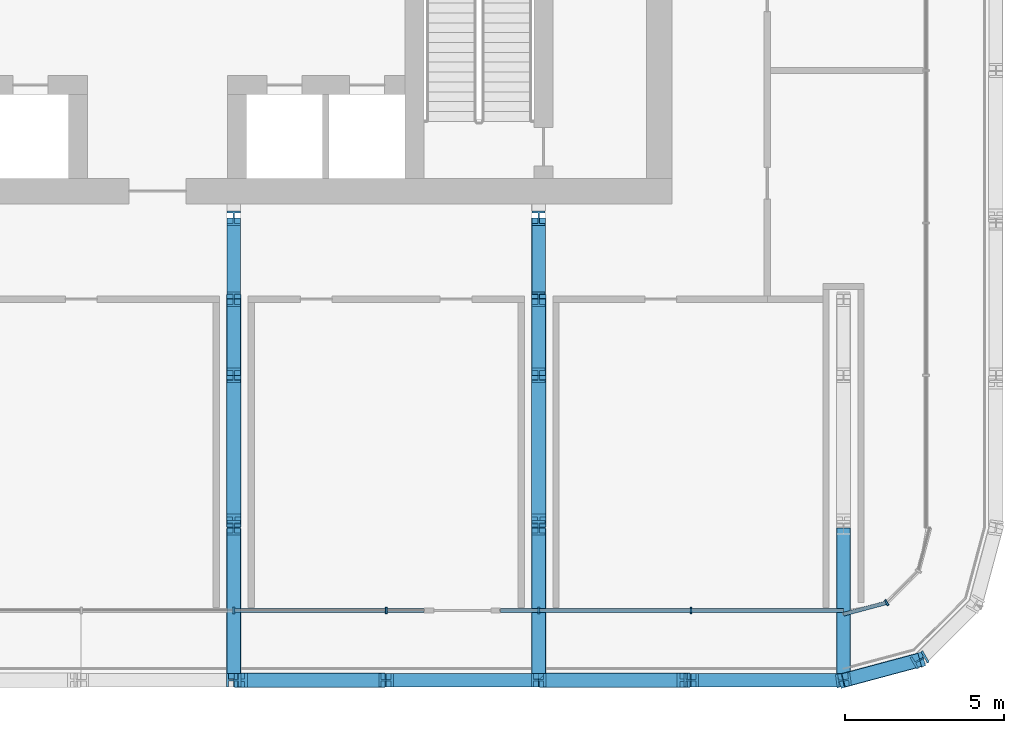
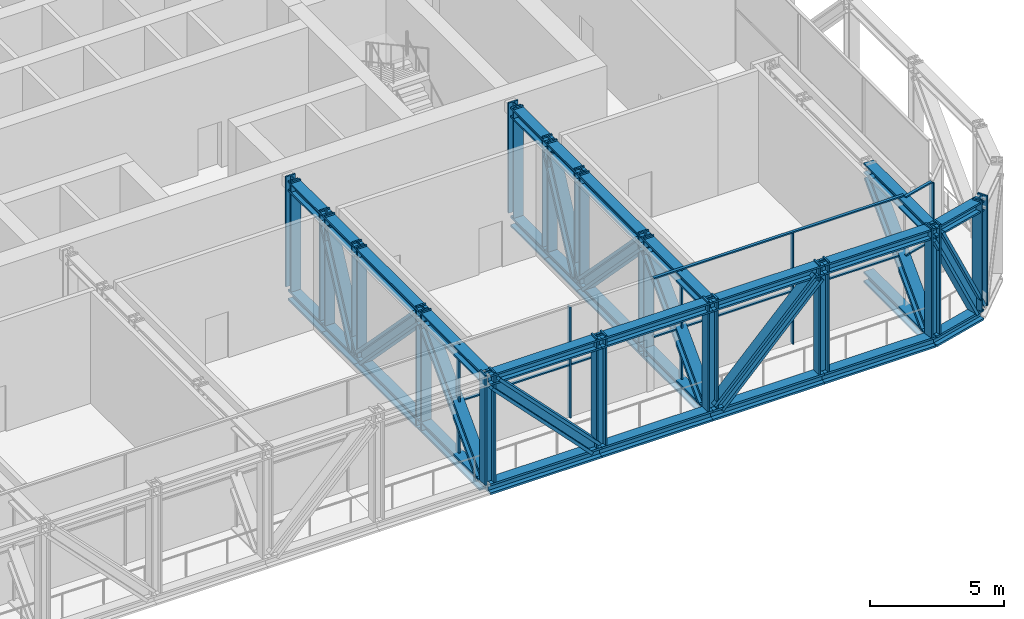
# One storey, part 5 of 27: 65 members, 2 elements without a shape of their own.
"""IFC4 building model written with IfcOpenShell, lengths in metres."""

from ifc_helpers import new_model, si_unit, direction, frame, origin, origin_2d, place, context, subcontext, project, spatial, rectangle, i_section, extrude, material, layer, layer_set, material_profile, profile_set, type_object, element, aggregate, save


model = new_model("IFC4")

# Units and contexts
model_context = context("Model", 3, precision=1e-05, world=origin(), true_north=direction((0.0, 1.0)))
body_context = subcontext(model_context, "Body", "Model", "MODEL_VIEW")
ifc_project = project(units=[si_unit("LENGTHUNIT", "METRE"), si_unit("AREAUNIT", "SQUARE_METRE"), si_unit("VOLUMEUNIT", "CUBIC_METRE"), si_unit("PLANEANGLEUNIT", "RADIAN"), si_unit("MASSUNIT", "GRAM", prefix="KILO")], contexts=[model_context])

# Site, building, storey
site_placement = place(None, origin())
site = spatial("IfcSite", under=ifc_project, at=site_placement, CompositionType="ELEMENT")
building_placement = place(site_placement, origin())
building = spatial("IfcBuilding", under=site, at=building_placement, Name="Madar Terraces", CompositionType="ELEMENT")
storey_placement = place(building_placement, frame((0.0, 0.0, 143.60009765625)))
storey = spatial("IfcBuildingStorey", under=building, at=storey_placement, Name="L37", CompositionType="ELEMENT", Elevation=143.60009765625)

# Members
ifc_material_1 = material(Name="Steel ASTM A913 Grade 65", Category="steel")
ifc_material_profile_1 = material_profile(ifc_material_1, i_section(OverallWidth=0.431884765625, OverallDepth=0.497802734375, WebThickness=0.0556640625, FlangeThickness=0.0888671875, at=origin_2d()), Name="W14x500")
ifc_profile_set_1 = profile_set([ifc_material_profile_1], Name="Steel ASTM A913 Grade 65")
member_type_1 = type_object("IfcMemberType", Name="BC5 W14x500", PredefinedType="CHORD", material=ifc_profile_set_1)
member_1_placement = place(storey_placement, frame((33.60009765625, 0.0, -0.171142578125), z_axis=(1.0, 0.0, 0.0), x_axis=(0.0, 1.0, 0.0)))
element("IfcMember", 1, at=member_1_placement, inside=storey, type_object=member_type_1, Name="Exoskeleton truss ring bottom chord BC5", PredefinedType="CHORD", context=body_context, shape_type="SweptSolid", body=[
    extrude(i_section(OverallWidth=0.431884765625, OverallDepth=0.497802734375, WebThickness=0.0556640625, FlangeThickness=0.0888671875, at=origin_2d()), origin(), (0.0, 0.0, 1.0), 4.7998046875),
])
for number, where, z_axis, x_axis, name in (
    (2, (38.39990234375, 0.0, -0.171142578125), (1.0, 0.0, 0.0), (0.0, 1.0, 0.0), "Exoskeleton truss ring bottom chord BC5"),
    (3, (43.199951171875, 0.0, -0.171142578125), (1.0, 0.0, 0.0), (0.0, 1.0, 0.0), "Exoskeleton truss ring bottom chord BC5"),
    (4, (48.0, 0.0, -0.171142578125), (1.0, 0.0, 0.0), (0.0, 1.0, 0.0), "Exoskeleton truss ring bottom chord BC5"),
):
    element("IfcMember", number, at=place(storey_placement, frame(where, z_axis=z_axis, x_axis=x_axis)), inside=storey, type_object=member_type_1, Name=name, PredefinedType="CHORD", context=body_context, shape_type="SweptSolid", body=[
        extrude(i_section(OverallWidth=0.431884765625, OverallDepth=0.497802734375, WebThickness=0.0556640625, FlangeThickness=0.0888671875, at=origin_2d()), origin(), (0.0, 0.0, 1.0), 4.800048828125),
    ])
member_2_placement = place(storey_placement, frame((52.800048828125, 0.0, -0.171142578125), z_axis=(0.965924366126, 0.258824494443, 0.0), x_axis=(-0.258824494443, 0.965924366126, 0.0)))
element("IfcMember", 5, at=member_2_placement, inside=storey, type_object=member_type_1, Name="Exoskeleton truss ring bottom chord BC5", PredefinedType="CHORD", context=body_context, shape_type="SweptSolid", body=[
    extrude(i_section(OverallWidth=0.431884765625, OverallDepth=0.497802734375, WebThickness=0.0556640625, FlangeThickness=0.0888671875, at=origin_2d()), origin(), (0.0, 0.0, 1.0), 2.484619140625),
])
member_3_placement = place(storey_placement, frame((33.60009765625, 0.2158203125, -0.171142578125), z_axis=(0.0, 1.0, 0.0), x_axis=(-1.0, 0.0, 0.0)))
element("IfcMember", 6, at=member_3_placement, inside=storey, type_object=member_type_1, Name="Exoskeleton truss cross S33.6 bottom chord BC5", PredefinedType="CHORD", context=body_context, shape_type="SweptSolid", body=[
    extrude(i_section(OverallWidth=0.431884765625, OverallDepth=0.497802734375, WebThickness=0.0556640625, FlangeThickness=0.0888671875, at=origin_2d()), origin(), (0.0, 0.0, 1.0), 4.584228515625),
])
member_4_placement = place(storey_placement, frame((33.60009765625, 4.800048828125, -0.171142578125), z_axis=(0.0, 1.0, 0.0), x_axis=(-1.0, 0.0, 0.0)))
element("IfcMember", 7, at=member_4_placement, inside=storey, type_object=member_type_1, Name="Exoskeleton truss cross S33.6 bottom chord BC5", PredefinedType="CHORD", context=body_context, shape_type="SweptSolid", body=[
    extrude(i_section(OverallWidth=0.431884765625, OverallDepth=0.497802734375, WebThickness=0.0556640625, FlangeThickness=0.0888671875, at=origin_2d()), origin(), (0.0, 0.0, 1.0), 4.800048828125),
])
member_5_placement = place(storey_placement, frame((33.60009765625, 9.60009765625, -0.171142578125), z_axis=(0.0, 1.0, 0.0), x_axis=(-1.0, 0.0, 0.0)))
element("IfcMember", 8, at=member_5_placement, inside=storey, type_object=member_type_1, Name="Exoskeleton truss cross S33.6 bottom chord BC5", PredefinedType="CHORD", context=body_context, shape_type="SweptSolid", body=[
    extrude(i_section(OverallWidth=0.431884765625, OverallDepth=0.497802734375, WebThickness=0.0556640625, FlangeThickness=0.0888671875, at=origin_2d()), origin(), (0.0, 0.0, 1.0), 2.39990234375),
])
member_6_placement = place(storey_placement, frame((33.60009765625, 12.0, -0.171142578125), z_axis=(0.0, 1.0, 0.0), x_axis=(-1.0, 0.0, 0.0)))
element("IfcMember", 9, at=member_6_placement, inside=storey, type_object=member_type_1, Name="Exoskeleton truss cross S33.6 bottom chord BC5", PredefinedType="CHORD", context=body_context, shape_type="SweptSolid", body=[
    extrude(i_section(OverallWidth=0.431884765625, OverallDepth=0.497802734375, WebThickness=0.0556640625, FlangeThickness=0.0888671875, at=origin_2d()), origin(), (0.0, 0.0, 1.0), 2.550048828125),
])
member_7_placement = place(storey_placement, frame((43.199951171875, 0.2158203125, -0.171142578125), z_axis=(0.0, 1.0, 0.0), x_axis=(-1.0, 0.0, 0.0)))
element("IfcMember", 10, at=member_7_placement, inside=storey, type_object=member_type_1, Name="Exoskeleton truss cross S43.2 bottom chord BC5", PredefinedType="CHORD", context=body_context, shape_type="SweptSolid", body=[
    extrude(i_section(OverallWidth=0.431884765625, OverallDepth=0.497802734375, WebThickness=0.0556640625, FlangeThickness=0.0888671875, at=origin_2d()), origin(), (0.0, 0.0, 1.0), 4.584228515625),
])
member_8_placement = place(storey_placement, frame((43.199951171875, 4.800048828125, -0.171142578125), z_axis=(0.0, 1.0, 0.0), x_axis=(-1.0, 0.0, 0.0)))
element("IfcMember", 11, at=member_8_placement, inside=storey, type_object=member_type_1, Name="Exoskeleton truss cross S43.2 bottom chord BC5", PredefinedType="CHORD", context=body_context, shape_type="SweptSolid", body=[
    extrude(i_section(OverallWidth=0.431884765625, OverallDepth=0.497802734375, WebThickness=0.0556640625, FlangeThickness=0.0888671875, at=origin_2d()), origin(), (0.0, 0.0, 1.0), 4.800048828125),
])
member_9_placement = place(storey_placement, frame((43.199951171875, 9.60009765625, -0.171142578125), z_axis=(0.0, 1.0, 0.0), x_axis=(-1.0, 0.0, 0.0)))
element("IfcMember", 12, at=member_9_placement, inside=storey, type_object=member_type_1, Name="Exoskeleton truss cross S43.2 bottom chord BC5", PredefinedType="CHORD", context=body_context, shape_type="SweptSolid", body=[
    extrude(i_section(OverallWidth=0.431884765625, OverallDepth=0.497802734375, WebThickness=0.0556640625, FlangeThickness=0.0888671875, at=origin_2d()), origin(), (0.0, 0.0, 1.0), 2.39990234375),
])
member_10_placement = place(storey_placement, frame((43.199951171875, 12.0, -0.171142578125), z_axis=(0.0, 1.0, 0.0), x_axis=(-1.0, 0.0, 0.0)))
element("IfcMember", 13, at=member_10_placement, inside=storey, type_object=member_type_1, Name="Exoskeleton truss cross S43.2 bottom chord BC5", PredefinedType="CHORD", context=body_context, shape_type="SweptSolid", body=[
    extrude(i_section(OverallWidth=0.431884765625, OverallDepth=0.497802734375, WebThickness=0.0556640625, FlangeThickness=0.0888671875, at=origin_2d()), origin(), (0.0, 0.0, 1.0), 2.550048828125),
])
member_11_placement = place(storey_placement, frame((52.800048828125, 0.2158203125, -0.171142578125), z_axis=(0.0, 1.0, 0.0), x_axis=(-1.0, 0.0, 0.0)))
element("IfcMember", 14, at=member_11_placement, inside=storey, type_object=member_type_1, Name="Exoskeleton truss cross S52.8 bottom chord BC5", PredefinedType="CHORD", context=body_context, shape_type="SweptSolid", body=[
    extrude(i_section(OverallWidth=0.431884765625, OverallDepth=0.497802734375, WebThickness=0.0556640625, FlangeThickness=0.0888671875, at=origin_2d()), origin(), (0.0, 0.0, 1.0), 4.584228515625),
])

# Curtain wall, members
ifc_material_2 = material(Name="Glass, ceramic frit dark grey, with black aluminium frame", Category="aluminium")
ifc_layer = layer(ifc_material_2, 0.199951171875)
ifc_layer_set = layer_set([ifc_layer], Name="Facade curtain wall, tall glazing")
curtain_wall_type = type_object("IfcCurtainWallType", Name="Facade curtain wall, tall glazing", PredefinedType="NOTDEFINED", material=ifc_layer_set)
curtain_wall_1_placement = place(storey_placement, origin())
curtain_wall_1 = element("IfcCurtainWall", 15, at=curtain_wall_1_placement, inside=storey, type_object=curtain_wall_type, Name="Outer skin curtain wall south bay 1", PredefinedType="NOTDEFINED")
ifc_material_3 = material(Name="Aluminium, black anodised", Category="aluminium")
ifc_material_profile_2 = material_profile(ifc_material_3, rectangle(XDim=0.199951171875, YDim=0.06005859375, at=origin_2d()), Name="Facade mullion 60x200")
ifc_profile_set_2 = profile_set([ifc_material_profile_2], Name="Aluminium, black anodised")
member_type_2 = type_object("IfcMemberType", Name="Facade mullion 60x200", PredefinedType="MULLION", material=ifc_profile_set_2)
member_12_placement = place(storey_placement, frame((33.60009765625, 2.199951171875, 0.0), z_axis=(0.0, 0.0, 1.0), x_axis=(0.0, 1.0, 0.0)))
member_12 = element("IfcMember", 16, at=member_12_placement, type_object=member_type_2, Name="Mullion 6", PredefinedType="MULLION", context=body_context, shape_type="SweptSolid", body=[
    extrude(rectangle(XDim=0.199951171875, YDim=0.06005859375, at=origin_2d()), origin(), (0.0, 0.0, 1.0), 5.039794921875),
])
member_13_placement = place(storey_placement, frame((38.39990234375, 2.199951171875, 0.0), z_axis=(0.0, 0.0, 1.0), x_axis=(0.0, 1.0, 0.0)))
member_13 = element("IfcMember", 17, at=member_13_placement, type_object=member_type_2, Name="Mullion 7", PredefinedType="MULLION", context=body_context, shape_type="SweptSolid", body=[
    extrude(rectangle(XDim=0.199951171875, YDim=0.06005859375, at=origin_2d()), origin(), (0.0, 0.0, 1.0), 5.039794921875),
])
member_14_placement = place(storey_placement, frame((43.199951171875, 2.199951171875, 0.0), z_axis=(0.0, 0.0, 1.0), x_axis=(0.0, 1.0, 0.0)))
member_14 = element("IfcMember", 18, at=member_14_placement, type_object=member_type_2, Name="Mullion 8", PredefinedType="MULLION", context=body_context, shape_type="SweptSolid", body=[
    extrude(rectangle(XDim=0.199951171875, YDim=0.06005859375, at=origin_2d()), origin(), (0.0, 0.0, 1.0), 5.039794921875),
])
member_15_placement = place(storey_placement, frame((48.0, 2.199951171875, 0.0), z_axis=(0.0, 0.0, 1.0), x_axis=(0.0, 1.0, 0.0)))
member_15 = element("IfcMember", 19, at=member_15_placement, type_object=member_type_2, Name="Mullion 9", PredefinedType="MULLION", context=body_context, shape_type="SweptSolid", body=[
    extrude(rectangle(XDim=0.199951171875, YDim=0.06005859375, at=origin_2d()), origin(), (0.0, 0.0, 1.0), 5.039794921875),
])

# Curtain wall, member
curtain_wall_2_placement = place(storey_placement, origin())
curtain_wall_2 = element("IfcCurtainWall", 20, at=curtain_wall_2_placement, inside=storey, type_object=curtain_wall_type, Name="Outer skin curtain wall south-east corner", PredefinedType="NOTDEFINED")
member_16_placement = place(storey_placement, frame((54.159912109375, 2.4443359375, 0.0), z_axis=(0.0, 0.0, 1.0), x_axis=(-0.500000029202, 0.866025386925, 0.0)))
member_16 = element("IfcMember", 21, at=member_16_placement, type_object=member_type_2, Name="Mullion 1", PredefinedType="MULLION", context=body_context, shape_type="SweptSolid", body=[
    extrude(rectangle(XDim=0.199951171875, YDim=0.06005859375, at=origin_2d()), origin(), (0.0, 0.0, 1.0), 5.039794921875),
])

# Member
ifc_material_4 = material(Name="Aluminium, black anodised", Category="aluminium")
ifc_material_profile_3 = material_profile(ifc_material_4, rectangle(XDim=0.1201171875, YDim=0.06005859375, at=origin_2d()), Name="Facade transom 60x120")
ifc_profile_set_3 = profile_set([ifc_material_profile_3], Name="Aluminium, black anodised")
member_type_3 = type_object("IfcMemberType", Name="Facade transom 60x120", PredefinedType="USERDEFINED", material=ifc_profile_set_3)
member_17_placement = place(storey_placement, frame((33.6298828125, 2.199951171875, 2.39990234375), z_axis=(1.0, 0.0, 0.0), x_axis=(0.0, 1.0, 0.0)))
member_17 = element("IfcMember", 22, at=member_17_placement, type_object=member_type_3, Name="Transom 8", ObjectType="TRANSOM", PredefinedType="USERDEFINED", context=body_context, shape_type="SweptSolid", body=[
    extrude(rectangle(XDim=0.1201171875, YDim=0.06005859375, at=origin_2d()), origin(), (0.0, 0.0, 1.0), 4.740234375),
])

member_18_placement = place(storey_placement, frame((38.429931640625, 2.199951171875, 2.39990234375), z_axis=(1.0, 0.0, 0.0), x_axis=(0.0, 1.0, 0.0)))
member_18 = element("IfcMember", 23, at=member_18_placement, type_object=member_type_3, Name="Transom 9", ObjectType="TRANSOM", PredefinedType="USERDEFINED", context=body_context, shape_type="SweptSolid", body=[
    extrude(rectangle(XDim=0.1201171875, YDim=0.06005859375, at=origin_2d()), origin(), (0.0, 0.0, 1.0), 1.170166015625),
])

member_19_placement = place(storey_placement, frame((42.0, 2.199951171875, 5.06982421875), z_axis=(1.0, 0.0, 0.0), x_axis=(0.0, 1.0, 0.0)))
member_19 = element("IfcMember", 24, at=member_19_placement, type_object=member_type_3, Name="Transom 10", ObjectType="TRANSOM", PredefinedType="USERDEFINED", context=body_context, shape_type="SweptSolid", body=[
    extrude(rectangle(XDim=0.1201171875, YDim=0.06005859375, at=origin_2d()), origin(), (0.0, 0.0, 1.0), 10.800048828125),
])

member_20_placement = place(storey_placement, frame((42.0, 2.199951171875, 2.39990234375), z_axis=(1.0, 0.0, 0.0), x_axis=(0.0, 1.0, 0.0)))
member_20 = element("IfcMember", 25, at=member_20_placement, type_object=member_type_3, Name="Transom 11", ObjectType="TRANSOM", PredefinedType="USERDEFINED", context=body_context, shape_type="SweptSolid", body=[
    extrude(rectangle(XDim=0.1201171875, YDim=0.06005859375, at=origin_2d()), origin(), (0.0, 0.0, 1.0), 1.169921875),
])

member_21_placement = place(storey_placement, frame((43.22998046875, 2.199951171875, 2.39990234375), z_axis=(1.0, 0.0, 0.0), x_axis=(0.0, 1.0, 0.0)))
member_21 = element("IfcMember", 26, at=member_21_placement, type_object=member_type_3, Name="Transom 12", ObjectType="TRANSOM", PredefinedType="USERDEFINED", context=body_context, shape_type="SweptSolid", body=[
    extrude(rectangle(XDim=0.1201171875, YDim=0.06005859375, at=origin_2d()), origin(), (0.0, 0.0, 1.0), 4.739990234375),
])

member_22_placement = place(storey_placement, frame((48.030029296875, 2.199951171875, 2.39990234375), z_axis=(1.0, 0.0, 0.0), x_axis=(0.0, 1.0, 0.0)))
member_22 = element("IfcMember", 27, at=member_22_placement, type_object=member_type_3, Name="Transom 13", ObjectType="TRANSOM", PredefinedType="USERDEFINED", context=body_context, shape_type="SweptSolid", body=[
    extrude(rectangle(XDim=0.1201171875, YDim=0.06005859375, at=origin_2d()), origin(), (0.0, 0.0, 1.0), 4.77001953125),
])

aggregate(curtain_wall_1, [member_12, member_13, member_17, member_18, member_14, member_15, member_19, member_20, member_21, member_22])

member_23_placement = place(storey_placement, frame((52.800048828125, 2.080078125, 5.06982421875), z_axis=(0.965919580711, 0.258842352791, 0.0), x_axis=(-0.258842352791, 0.965919580711, 0.0)))
member_23 = element("IfcMember", 28, at=member_23_placement, type_object=member_type_3, Name="Transom 1", ObjectType="TRANSOM", PredefinedType="USERDEFINED", context=body_context, shape_type="SweptSolid", body=[
    extrude(rectangle(XDim=0.1201171875, YDim=0.06005859375, at=origin_2d()), origin(), (0.0, 0.0, 1.0), 1.3779296875),
])

member_24_placement = place(storey_placement, frame((52.800048828125, 2.080078125, 2.39990234375), z_axis=(0.965919580711, 0.258842352791, 0.0), x_axis=(-0.258842352791, 0.965919580711, 0.0)))
member_24 = element("IfcMember", 29, at=member_24_placement, type_object=member_type_3, Name="Transom 2", ObjectType="TRANSOM", PredefinedType="USERDEFINED", context=body_context, shape_type="SweptSolid", body=[
    extrude(rectangle(XDim=0.1201171875, YDim=0.06005859375, at=origin_2d()), origin(), (0.0, 0.0, 1.0), 1.3779296875),
])

aggregate(curtain_wall_2, [member_16, member_23, member_24])

# Members
ifc_material_5 = material(Name="Steel ASTM A913 Grade 65", Category="steel")
ifc_material_profile_4 = material_profile(ifc_material_5, i_section(OverallWidth=0.424072265625, OverallDepth=0.47509765625, WebThickness=0.0478515625, FlangeThickness=0.0771484375, at=origin_2d()), Name="W14x426")
ifc_profile_set_4 = profile_set([ifc_material_profile_4], Name="Steel ASTM A913 Grade 65")
member_type_4 = type_object("IfcMemberType", Name="TC5 W14x426", PredefinedType="CHORD", material=ifc_profile_set_4)
member_25_placement = place(storey_placement, frame((33.60009765625, 0.0, 4.79248046875), z_axis=(1.0, 0.0, 0.0), x_axis=(0.0, 1.0, 0.0)))
element("IfcMember", 30, at=member_25_placement, inside=storey, type_object=member_type_4, Name="Exoskeleton truss ring top chord TC5", PredefinedType="CHORD", context=body_context, shape_type="SweptSolid", body=[
    extrude(i_section(OverallWidth=0.424072265625, OverallDepth=0.47509765625, WebThickness=0.0478515625, FlangeThickness=0.0771484375, at=origin_2d()), origin(), (0.0, 0.0, 1.0), 4.7998046875),
])
for number, where, z_axis, x_axis, name in (
    (31, (38.39990234375, 0.0, 4.79248046875), (1.0, 0.0, 0.0), (0.0, 1.0, 0.0), "Exoskeleton truss ring top chord TC5"),
    (32, (43.199951171875, 0.0, 4.79248046875), (1.0, 0.0, 0.0), (0.0, 1.0, 0.0), "Exoskeleton truss ring top chord TC5"),
    (33, (48.0, 0.0, 4.79248046875), (1.0, 0.0, 0.0), (0.0, 1.0, 0.0), "Exoskeleton truss ring top chord TC5"),
):
    element("IfcMember", number, at=place(storey_placement, frame(where, z_axis=z_axis, x_axis=x_axis)), inside=storey, type_object=member_type_4, Name=name, PredefinedType="CHORD", context=body_context, shape_type="SweptSolid", body=[
        extrude(i_section(OverallWidth=0.424072265625, OverallDepth=0.47509765625, WebThickness=0.0478515625, FlangeThickness=0.0771484375, at=origin_2d()), origin(), (0.0, 0.0, 1.0), 4.800048828125),
    ])
member_26_placement = place(storey_placement, frame((52.800048828125, 0.0, 4.79248046875), z_axis=(0.965924366126, 0.258824494443, 0.0), x_axis=(-0.258824494443, 0.965924366126, 0.0)))
element("IfcMember", 34, at=member_26_placement, inside=storey, type_object=member_type_4, Name="Exoskeleton truss ring top chord TC5", PredefinedType="CHORD", context=body_context, shape_type="SweptSolid", body=[
    extrude(i_section(OverallWidth=0.424072265625, OverallDepth=0.47509765625, WebThickness=0.0478515625, FlangeThickness=0.0771484375, at=origin_2d()), origin(), (0.0, 0.0, 1.0), 2.484619140625),
])
member_27_placement = place(storey_placement, frame((33.60009765625, 0.212158203125, 4.79248046875), z_axis=(0.0, 1.0, 0.0), x_axis=(-1.0, 0.0, 0.0)))
element("IfcMember", 35, at=member_27_placement, inside=storey, type_object=member_type_4, Name="Exoskeleton truss cross S33.6 top chord TC5", PredefinedType="CHORD", context=body_context, shape_type="SweptSolid", body=[
    extrude(i_section(OverallWidth=0.424072265625, OverallDepth=0.47509765625, WebThickness=0.0478515625, FlangeThickness=0.0771484375, at=origin_2d()), origin(), (0.0, 0.0, 1.0), 4.587890625),
])
member_28_placement = place(storey_placement, frame((33.60009765625, 4.800048828125, 4.79248046875), z_axis=(0.0, 1.0, 0.0), x_axis=(-1.0, 0.0, 0.0)))
element("IfcMember", 36, at=member_28_placement, inside=storey, type_object=member_type_4, Name="Exoskeleton truss cross S33.6 top chord TC5", PredefinedType="CHORD", context=body_context, shape_type="SweptSolid", body=[
    extrude(i_section(OverallWidth=0.424072265625, OverallDepth=0.47509765625, WebThickness=0.0478515625, FlangeThickness=0.0771484375, at=origin_2d()), origin(), (0.0, 0.0, 1.0), 4.800048828125),
])
member_29_placement = place(storey_placement, frame((33.60009765625, 9.60009765625, 4.79248046875), z_axis=(0.0, 1.0, 0.0), x_axis=(-1.0, 0.0, 0.0)))
element("IfcMember", 37, at=member_29_placement, inside=storey, type_object=member_type_4, Name="Exoskeleton truss cross S33.6 top chord TC5", PredefinedType="CHORD", context=body_context, shape_type="SweptSolid", body=[
    extrude(i_section(OverallWidth=0.424072265625, OverallDepth=0.47509765625, WebThickness=0.0478515625, FlangeThickness=0.0771484375, at=origin_2d()), origin(), (0.0, 0.0, 1.0), 2.39990234375),
])
member_30_placement = place(storey_placement, frame((33.60009765625, 12.0, 4.79248046875), z_axis=(0.0, 1.0, 0.0), x_axis=(-1.0, 0.0, 0.0)))
element("IfcMember", 38, at=member_30_placement, inside=storey, type_object=member_type_4, Name="Exoskeleton truss cross S33.6 top chord TC5", PredefinedType="CHORD", context=body_context, shape_type="SweptSolid", body=[
    extrude(i_section(OverallWidth=0.424072265625, OverallDepth=0.47509765625, WebThickness=0.0478515625, FlangeThickness=0.0771484375, at=origin_2d()), origin(), (0.0, 0.0, 1.0), 2.550048828125),
])
member_31_placement = place(storey_placement, frame((43.199951171875, 0.212158203125, 4.79248046875), z_axis=(0.0, 1.0, 0.0), x_axis=(-1.0, 0.0, 0.0)))
element("IfcMember", 39, at=member_31_placement, inside=storey, type_object=member_type_4, Name="Exoskeleton truss cross S43.2 top chord TC5", PredefinedType="CHORD", context=body_context, shape_type="SweptSolid", body=[
    extrude(i_section(OverallWidth=0.424072265625, OverallDepth=0.47509765625, WebThickness=0.0478515625, FlangeThickness=0.0771484375, at=origin_2d()), origin(), (0.0, 0.0, 1.0), 4.587890625),
])
member_32_placement = place(storey_placement, frame((43.199951171875, 4.800048828125, 4.79248046875), z_axis=(0.0, 1.0, 0.0), x_axis=(-1.0, 0.0, 0.0)))
element("IfcMember", 40, at=member_32_placement, inside=storey, type_object=member_type_4, Name="Exoskeleton truss cross S43.2 top chord TC5", PredefinedType="CHORD", context=body_context, shape_type="SweptSolid", body=[
    extrude(i_section(OverallWidth=0.424072265625, OverallDepth=0.47509765625, WebThickness=0.0478515625, FlangeThickness=0.0771484375, at=origin_2d()), origin(), (0.0, 0.0, 1.0), 4.800048828125),
])
member_33_placement = place(storey_placement, frame((43.199951171875, 9.60009765625, 4.79248046875), z_axis=(0.0, 1.0, 0.0), x_axis=(-1.0, 0.0, 0.0)))
element("IfcMember", 41, at=member_33_placement, inside=storey, type_object=member_type_4, Name="Exoskeleton truss cross S43.2 top chord TC5", PredefinedType="CHORD", context=body_context, shape_type="SweptSolid", body=[
    extrude(i_section(OverallWidth=0.424072265625, OverallDepth=0.47509765625, WebThickness=0.0478515625, FlangeThickness=0.0771484375, at=origin_2d()), origin(), (0.0, 0.0, 1.0), 2.39990234375),
])
member_34_placement = place(storey_placement, frame((43.199951171875, 12.0, 4.79248046875), z_axis=(0.0, 1.0, 0.0), x_axis=(-1.0, 0.0, 0.0)))
element("IfcMember", 42, at=member_34_placement, inside=storey, type_object=member_type_4, Name="Exoskeleton truss cross S43.2 top chord TC5", PredefinedType="CHORD", context=body_context, shape_type="SweptSolid", body=[
    extrude(i_section(OverallWidth=0.424072265625, OverallDepth=0.47509765625, WebThickness=0.0478515625, FlangeThickness=0.0771484375, at=origin_2d()), origin(), (0.0, 0.0, 1.0), 2.550048828125),
])
member_35_placement = place(storey_placement, frame((52.800048828125, 0.212158203125, 4.79248046875), z_axis=(0.0, 1.0, 0.0), x_axis=(-1.0, 0.0, 0.0)))
element("IfcMember", 43, at=member_35_placement, inside=storey, type_object=member_type_4, Name="Exoskeleton truss cross S52.8 top chord TC5", PredefinedType="CHORD", context=body_context, shape_type="SweptSolid", body=[
    extrude(i_section(OverallWidth=0.424072265625, OverallDepth=0.47509765625, WebThickness=0.0478515625, FlangeThickness=0.0771484375, at=origin_2d()), origin(), (0.0, 0.0, 1.0), 4.587890625),
])
ifc_material_6 = material(Name="Steel ASTM A913 Grade 65", Category="steel")
ifc_material_profile_5 = material_profile(ifc_material_6, i_section(OverallWidth=0.45458984375, OverallDepth=0.56884765625, WebThickness=0.077880859375, FlangeThickness=0.124755859375, at=origin_2d()), Name="W14x730")
ifc_profile_set_5 = profile_set([ifc_material_profile_5], Name="Steel ASTM A913 Grade 65")
member_type_5 = type_object("IfcMemberType", Name="TD5 W14x730", PredefinedType="BRACE", material=ifc_profile_set_5)
for number, where, z_axis, x_axis, name in (
    (44, (33.82958984375, 0.0, 4.554931640625), (0.695149746219, 0.0, -0.718864959733), (0.0, 1.0, 0.0), "Exoskeleton truss ring diagonal TD5"),
    (45, (43.440673828125, 0.0, 0.07763671875), (0.695149746219, 0.0, 0.718864959733), (0.0, 1.0, 0.0), "Exoskeleton truss ring diagonal TD5"),
):
    element("IfcMember", number, at=place(storey_placement, frame(where, z_axis=z_axis, x_axis=x_axis)), inside=storey, type_object=member_type_5, Name=name, PredefinedType="BRACE", context=body_context, shape_type="SweptSolid", body=[
        extrude(i_section(OverallWidth=0.45458984375, OverallDepth=0.56884765625, WebThickness=0.077880859375, FlangeThickness=0.124755859375, at=origin_2d()), origin(), (0.0, 0.0, 1.0), 6.228271484375),
    ])
member_36_placement = place(storey_placement, frame((52.914794921875, 0.03076171875, 4.554931640625), z_axis=(0.432362756468, 0.115855859859, -0.894225847622), x_axis=(-0.258828650911, 0.965923252369, 0.0)))
element("IfcMember", 46, at=member_36_placement, inside=storey, type_object=member_type_5, Name="Exoskeleton truss ring diagonal TD5", PredefinedType="BRACE", context=body_context, shape_type="SweptSolid", body=[
    extrude(i_section(OverallWidth=0.45458984375, OverallDepth=0.56884765625, WebThickness=0.077880859375, FlangeThickness=0.124755859375, at=origin_2d()), origin(), (0.0, 0.0, 1.0), 5.0068359375),
])
member_37_placement = place(storey_placement, frame((33.60009765625, 0.24072265625, 0.07763671875), z_axis=(0.0, 0.695149746219, 0.718864959733), x_axis=(-1.0, 0.0, 0.0)))
element("IfcMember", 47, at=member_37_placement, inside=storey, type_object=member_type_5, Name="Exoskeleton truss cross S33.6 diagonal TD5", PredefinedType="BRACE", context=body_context, shape_type="SweptSolid", body=[
    extrude(i_section(OverallWidth=0.45458984375, OverallDepth=0.56884765625, WebThickness=0.077880859375, FlangeThickness=0.124755859375, at=origin_2d()), origin(), (0.0, 0.0, 1.0), 6.228271484375),
])
member_38_placement = place(storey_placement, frame((33.60009765625, 5.029541015625, 4.554931640625), z_axis=(0.0, 0.695170001979, -0.718845371654), x_axis=(-1.0, 0.0, 0.0)))
element("IfcMember", 48, at=member_38_placement, inside=storey, type_object=member_type_5, Name="Exoskeleton truss cross S33.6 diagonal TD5", PredefinedType="BRACE", context=body_context, shape_type="SweptSolid", body=[
    extrude(i_section(OverallWidth=0.45458984375, OverallDepth=0.56884765625, WebThickness=0.077880859375, FlangeThickness=0.124755859375, at=origin_2d()), origin(), (0.0, 0.0, 1.0), 6.228515625),
])
member_39_placement = place(storey_placement, frame((33.60009765625, 9.720458984375, 0.07763671875), z_axis=(0.0, 0.435294010342, 0.900288356339), x_axis=(-1.0, 0.0, 0.0)))
element("IfcMember", 49, at=member_39_placement, inside=storey, type_object=member_type_5, Name="Exoskeleton truss cross S33.6 diagonal TD5", PredefinedType="BRACE", context=body_context, shape_type="SweptSolid", body=[
    extrude(i_section(OverallWidth=0.45458984375, OverallDepth=0.56884765625, WebThickness=0.077880859375, FlangeThickness=0.124755859375, at=origin_2d()), origin(), (0.0, 0.0, 1.0), 4.97314453125),
])
member_40_placement = place(storey_placement, frame((43.199951171875, 0.24072265625, 0.07763671875), z_axis=(0.0, 0.695149746219, 0.718864959733), x_axis=(-1.0, 0.0, 0.0)))
element("IfcMember", 50, at=member_40_placement, inside=storey, type_object=member_type_5, Name="Exoskeleton truss cross S43.2 diagonal TD5", PredefinedType="BRACE", context=body_context, shape_type="SweptSolid", body=[
    extrude(i_section(OverallWidth=0.45458984375, OverallDepth=0.56884765625, WebThickness=0.077880859375, FlangeThickness=0.124755859375, at=origin_2d()), origin(), (0.0, 0.0, 1.0), 6.228271484375),
])
member_41_placement = place(storey_placement, frame((43.199951171875, 5.029541015625, 4.554931640625), z_axis=(0.0, 0.695170001979, -0.718845371654), x_axis=(-1.0, 0.0, 0.0)))
element("IfcMember", 51, at=member_41_placement, inside=storey, type_object=member_type_5, Name="Exoskeleton truss cross S43.2 diagonal TD5", PredefinedType="BRACE", context=body_context, shape_type="SweptSolid", body=[
    extrude(i_section(OverallWidth=0.45458984375, OverallDepth=0.56884765625, WebThickness=0.077880859375, FlangeThickness=0.124755859375, at=origin_2d()), origin(), (0.0, 0.0, 1.0), 6.228515625),
])
member_42_placement = place(storey_placement, frame((43.199951171875, 9.720458984375, 0.07763671875), z_axis=(0.0, 0.435294010342, 0.900288356339), x_axis=(-1.0, 0.0, 0.0)))
element("IfcMember", 52, at=member_42_placement, inside=storey, type_object=member_type_5, Name="Exoskeleton truss cross S43.2 diagonal TD5", PredefinedType="BRACE", context=body_context, shape_type="SweptSolid", body=[
    extrude(i_section(OverallWidth=0.45458984375, OverallDepth=0.56884765625, WebThickness=0.077880859375, FlangeThickness=0.124755859375, at=origin_2d()), origin(), (0.0, 0.0, 1.0), 4.97314453125),
])
member_43_placement = place(storey_placement, frame((52.800048828125, 0.24072265625, 0.07763671875), z_axis=(0.0, 0.695149746219, 0.718864959733), x_axis=(-1.0, 0.0, 0.0)))
element("IfcMember", 53, at=member_43_placement, inside=storey, type_object=member_type_5, Name="Exoskeleton truss cross S52.8 diagonal TD5", PredefinedType="BRACE", context=body_context, shape_type="SweptSolid", body=[
    extrude(i_section(OverallWidth=0.45458984375, OverallDepth=0.56884765625, WebThickness=0.077880859375, FlangeThickness=0.124755859375, at=origin_2d()), origin(), (0.0, 0.0, 1.0), 6.228271484375),
])
ifc_material_7 = material(Name="Steel ASTM A913 Grade 65", Category="steel")
ifc_material_profile_6 = material_profile(ifc_material_7, i_section(OverallWidth=0.419189453125, OverallDepth=0.45458984375, WebThickness=0.042236328125, FlangeThickness=0.067626953125, at=origin_2d()), Name="W14x370")
ifc_profile_set_6 = profile_set([ifc_material_profile_6], Name="Steel ASTM A913 Grade 65")
member_type_6 = type_object("IfcMemberType", Name="TV5 W14x370", PredefinedType="POST", material=ifc_profile_set_6)
for number, where, z_axis, x_axis, name in (
    (54, (33.60009765625, 0.0, 0.07763671875), (0.0, 0.0, 1.0), (0.0, 1.0, 0.0), "Exoskeleton truss ring post TV5"),
    (55, (38.39990234375, 0.0, 0.07763671875), (0.0, 0.0, 1.0), (0.0, 1.0, 0.0), "Exoskeleton truss ring post TV5"),
    (56, (43.199951171875, 0.0, 0.07763671875), (0.0, 0.0, 1.0), (0.0, 1.0, 0.0), "Exoskeleton truss ring post TV5"),
    (57, (48.0, 0.0, 0.07763671875), (0.0, 0.0, 1.0), (0.0, 1.0, 0.0), "Exoskeleton truss ring post TV5"),
    (58, (52.800048828125, 0.0, 0.07763671875), (0.0, 0.0, 1.0), (-0.130526174916, 0.991444863652, 0.0), "Exoskeleton truss ring post TV5"),
    (59, (55.199951171875, 0.64306640625, 0.07763671875), (0.0, 0.0, 1.0), (-0.499999984885, 0.866025412511, 0.0), "Exoskeleton truss ring post TV5"),
):
    element("IfcMember", number, at=place(storey_placement, frame(where, z_axis=z_axis, x_axis=x_axis)), inside=storey, type_object=member_type_6, Name=name, PredefinedType="POST", context=body_context, shape_type="SweptSolid", body=[
        extrude(i_section(OverallWidth=0.419189453125, OverallDepth=0.45458984375, WebThickness=0.042236328125, FlangeThickness=0.067626953125, at=origin_2d()), origin(), (0.0, 0.0, 1.0), 5.022216796875),
    ])
member_44_placement = place(storey_placement, frame((33.60009765625, 4.800048828125, -0.420166015625), z_axis=(0.0, 0.0, 1.0), x_axis=(-1.0, 0.0, 0.0)))
element("IfcMember", 60, at=member_44_placement, inside=storey, type_object=member_type_6, Name="Exoskeleton truss cross S33.6 post TV5", PredefinedType="POST", context=body_context, shape_type="SweptSolid", body=[
    extrude(i_section(OverallWidth=0.419189453125, OverallDepth=0.45458984375, WebThickness=0.042236328125, FlangeThickness=0.067626953125, at=origin_2d()), origin(), (0.0, 0.0, 1.0), 5.52001953125),
])
for number, where, z_axis, x_axis, name in (
    (61, (33.60009765625, 9.60009765625, 0.07763671875), (0.0, 0.0, 1.0), (-1.0, 0.0, 0.0), "Exoskeleton truss cross S33.6 post TV5"),
    (62, (33.60009765625, 12.0, 0.07763671875), (0.0, 0.0, 1.0), (-1.0, 0.0, 0.0), "Exoskeleton truss cross S33.6 post TV5"),
    (63, (33.60009765625, 14.550048828125, 0.07763671875), (0.0, 0.0, 1.0), (-1.0, 0.0, 0.0), "Exoskeleton truss cross S33.6 post TV5"),
):
    element("IfcMember", number, at=place(storey_placement, frame(where, z_axis=z_axis, x_axis=x_axis)), inside=storey, type_object=member_type_6, Name=name, PredefinedType="POST", context=body_context, shape_type="SweptSolid", body=[
        extrude(i_section(OverallWidth=0.419189453125, OverallDepth=0.45458984375, WebThickness=0.042236328125, FlangeThickness=0.067626953125, at=origin_2d()), origin(), (0.0, 0.0, 1.0), 5.022216796875),
    ])
member_45_placement = place(storey_placement, frame((43.199951171875, 4.800048828125, -0.420166015625), z_axis=(0.0, 0.0, 1.0), x_axis=(-1.0, 0.0, 0.0)))
element("IfcMember", 64, at=member_45_placement, inside=storey, type_object=member_type_6, Name="Exoskeleton truss cross S43.2 post TV5", PredefinedType="POST", context=body_context, shape_type="SweptSolid", body=[
    extrude(i_section(OverallWidth=0.419189453125, OverallDepth=0.45458984375, WebThickness=0.042236328125, FlangeThickness=0.067626953125, at=origin_2d()), origin(), (0.0, 0.0, 1.0), 5.52001953125),
])
for number, where, z_axis, x_axis, name in (
    (65, (43.199951171875, 9.60009765625, 0.07763671875), (0.0, 0.0, 1.0), (-1.0, 0.0, 0.0), "Exoskeleton truss cross S43.2 post TV5"),
    (66, (43.199951171875, 12.0, 0.07763671875), (0.0, 0.0, 1.0), (-1.0, 0.0, 0.0), "Exoskeleton truss cross S43.2 post TV5"),
    (67, (43.199951171875, 14.550048828125, 0.07763671875), (0.0, 0.0, 1.0), (-1.0, 0.0, 0.0), "Exoskeleton truss cross S43.2 post TV5"),
):
    element("IfcMember", number, at=place(storey_placement, frame(where, z_axis=z_axis, x_axis=x_axis)), inside=storey, type_object=member_type_6, Name=name, PredefinedType="POST", context=body_context, shape_type="SweptSolid", body=[
        extrude(i_section(OverallWidth=0.419189453125, OverallDepth=0.45458984375, WebThickness=0.042236328125, FlangeThickness=0.067626953125, at=origin_2d()), origin(), (0.0, 0.0, 1.0), 5.022216796875),
    ])

save(model, "model.ifc")
